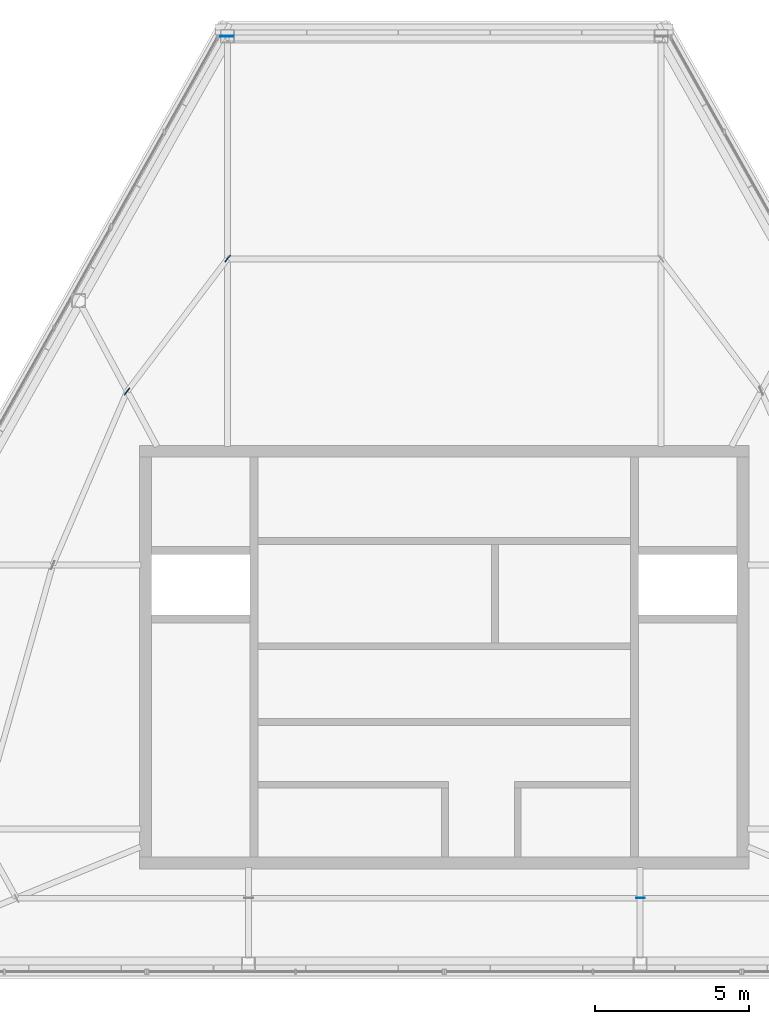
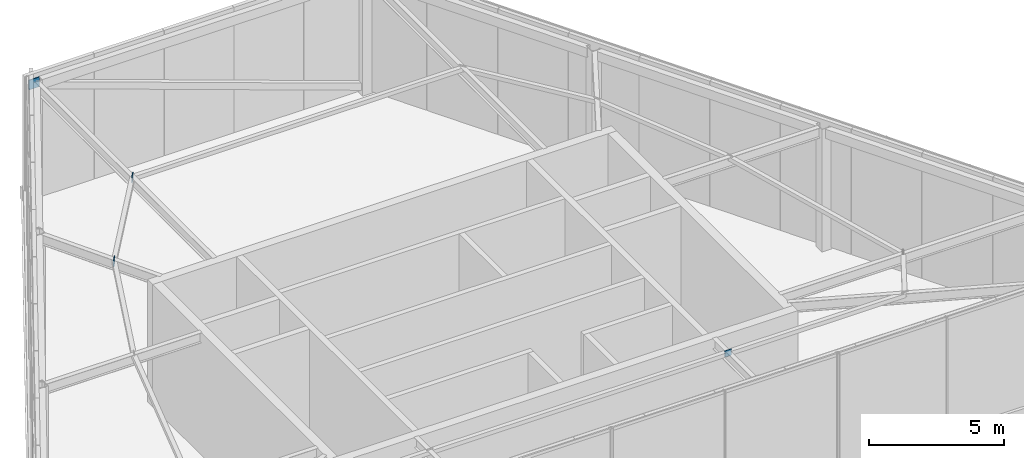
# One storey, part 8 of 12: 4 plates.
"""IFC4 building model written with IfcOpenShell, lengths in metres."""

from ifc_helpers import new_model, si_unit, direction, frame, origin, origin_2d, place, context, subcontext, project, spatial, rectangle, extrude, material, layer, layer_set, type_object, element, save


model = new_model("IFC4")

# Units and contexts
model_context = context("Model", 3, precision=1e-05, world=origin(), true_north=direction((0.0, 1.0)))
body_context = subcontext(model_context, "Body", "Model", "MODEL_VIEW")
ifc_project = project(units=[si_unit("LENGTHUNIT", "METRE"), si_unit("AREAUNIT", "SQUARE_METRE"), si_unit("VOLUMEUNIT", "CUBIC_METRE"), si_unit("PLANEANGLEUNIT", "RADIAN"), si_unit("MASSUNIT", "GRAM", prefix="KILO")], contexts=[model_context])

# Site, building, storey
site_placement = place(None, origin())
site = spatial("IfcSite", under=ifc_project, at=site_placement, CompositionType="ELEMENT")
building_placement = place(site_placement, origin())
building = spatial("IfcBuilding", under=site, at=building_placement, Name="Kavelnor Concourse Tower", CompositionType="ELEMENT")
storey_placement = place(building_placement, frame((0.0, 0.0, 315.699951171875)))
storey = spatial("IfcBuildingStorey", under=building, at=storey_placement, Name="L79", CompositionType="ELEMENT", Elevation=315.699951171875)

# Plates
ifc_material = material(Name="Steel Grade 350", Category="steel")
ifc_layer_1 = layer(ifc_material, 0.031982421875, Name="Steel Grade 350")
ifc_layer_set_1 = layer_set([ifc_layer_1], Name="Steel Grade 350")
plate_type_1 = type_object("IfcPlateType", Name="PL-GUSSET-TUBE-Z1", PredefinedType="USERDEFINED", material=ifc_layer_set_1)
plate_placement = place(storey_placement, frame((30.93896484375, 36.276123046875, 5.090087890625), z_axis=(0.0, 0.0, 1.0), x_axis=(-1.0, 0.0, 0.0)))
element("IfcPlate", 1, at=plate_placement, inside=storey, type_object=plate_type_1, Name="L79 Crown Brace 12 End Gusset B", ObjectType="GUSSET_PLATE", PredefinedType="USERDEFINED", context=body_context, shape_type="SweptSolid", body=[
    extrude(rectangle(XDim=0.43994140625, YDim=0.031982421875, at=origin_2d()), origin(), (0.0, 0.0, 1.0), 0.43994140625),
])
ifc_layer_2 = layer(ifc_material, 0.02490234375, Name="Steel Grade 350")
ifc_layer_set_2 = layer_set([ifc_layer_2], Name="Steel Grade 350")
plate_type_2 = type_object("IfcPlateType", Name="PL-SPLICE-FLANGE", PredefinedType="SHEET", material=ifc_layer_set_2)
for number, where, z_axis, x_axis, name in (
    (2, (30.958251953125, 29.047607421875, 5.2900390625), (0.0, 0.0, 1.0), (-0.603903781253, -0.797057226922, 0.0), "L79 Roof Purlin 01 End Gusset A"),
    (3, (27.689453125, 24.733642578125, 5.2900390625), (0.0, 0.0, 1.0), (-0.603903781253, -0.797057226922, 0.0), "L79 Roof Purlin 01 End Gusset B"),
    (4, (44.37841796875, 8.267578125, 5.2900390625), (0.0, 0.0, 1.0), (1.0, 0.0, 0.0), "L79 Roof Purlin 06 End Gusset B"),
):
    element("IfcPlate", number, at=place(storey_placement, frame(where, z_axis=z_axis, x_axis=x_axis)), inside=storey, type_object=plate_type_2, Name=name, PredefinedType="SHEET", context=body_context, shape_type="SweptSolid", body=[
        extrude(rectangle(XDim=0.280029296875, YDim=0.02490234375, at=origin_2d()), origin(), (0.0, 0.0, 1.0), 0.280029296875),
    ])

save(model, "model.ifc")
